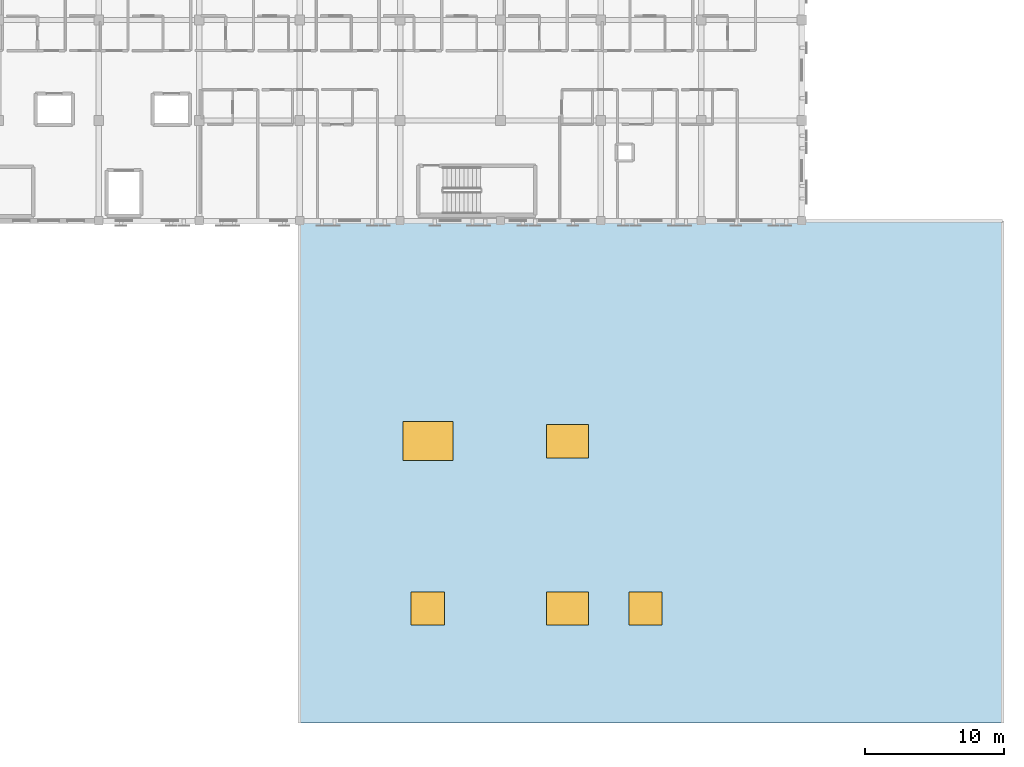
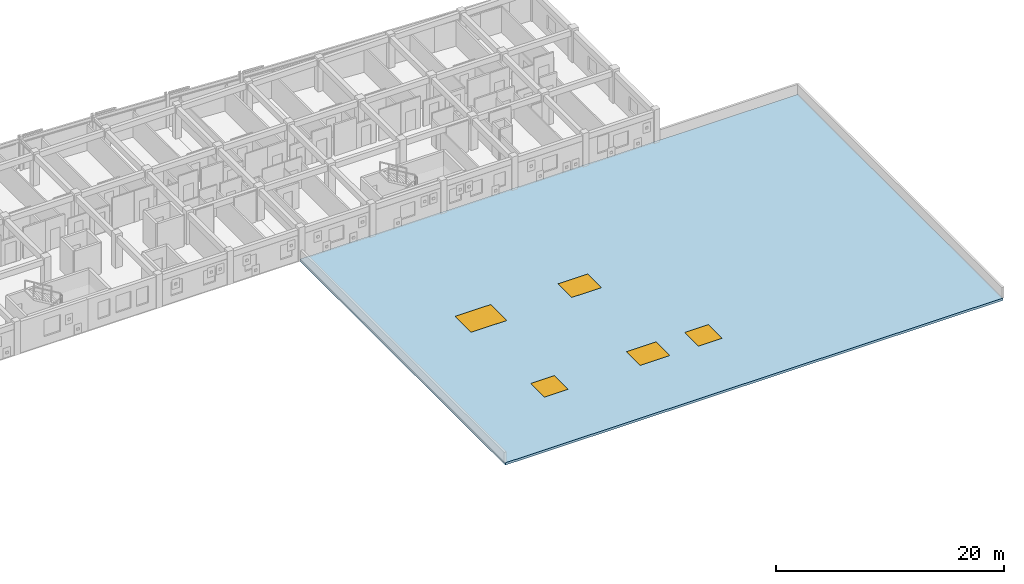
# One storey, part 34 of 50: 5 windows, 1 slab, 5 openings.
"""IFC4 building model written with IfcOpenShell, lengths in metres."""

from ifc_helpers import new_model, si_unit, direction, frame, origin, origin_2d, place, context, subcontext, project, spatial, polyline, rectangle, outline, extrude, material, layer, layer_set, type_object, element, fill, save


model = new_model("IFC4")

# Units and contexts
model_context = context("Model", 3, precision=1e-05, world=origin(), true_north=direction((0.0, 1.0)))
body_context = subcontext(model_context, "Body", "Model", "MODEL_VIEW")
ifc_project = project(units=[si_unit("LENGTHUNIT", "METRE"), si_unit("AREAUNIT", "SQUARE_METRE"), si_unit("VOLUMEUNIT", "CUBIC_METRE"), si_unit("PLANEANGLEUNIT", "RADIAN"), si_unit("MASSUNIT", "GRAM", prefix="KILO")], contexts=[model_context])

# Site, building, storey
site_placement = place(None, origin())
site = spatial("IfcSite", under=ifc_project, at=site_placement, CompositionType="ELEMENT")
building_placement = place(site_placement, origin())
building = spatial("IfcBuilding", under=site, at=building_placement, Name="Carrowvane Square Congress Hotel", CompositionType="ELEMENT")
storey_placement = place(building_placement, frame((0.0, 0.0, 22.800048828125)))
storey = spatial("IfcBuildingStorey", under=building, at=storey_placement, Name="L05", CompositionType="ELEMENT", Elevation=22.800048828125)

# Slab, openings, windows
ifc_material_1 = material(Name="Concrete C35/45", Category="concrete")
ifc_layer = layer(ifc_material_1, 0.25)
ifc_layer_set = layer_set([ifc_layer], Name="Concrete C35/45")
slab_type = type_object("IfcSlabType", Name="SLB-ROOF-250", PredefinedType="ROOF", material=ifc_layer_set)
slab_placement = place(storey_placement, frame((0.0, 0.0, -0.25)))
slab = element("IfcSlab", 1, at=slab_placement, inside=storey, type_object=slab_type, Name="Meeting and Sky Bar flat roof slab", PredefinedType="ROOF", context=body_context, shape_type="SweptSolid", body=[
    extrude(outline(polyline([(126.800048828125, 55.800048828125), (177.199951171875, 55.800048828125), (177.199951171875, 91.800048828125), (126.800048828125, 91.800048828125), (126.800048828125, 55.800048828125)])), origin(), (0.0, 0.0, 1.0), 0.25),
])
opening_1_placement = place(slab_placement, frame((136.0, 64.0, 0.0)))
opening_1 = element("IfcOpeningElement", 2, at=opening_1_placement, cuts=slab, Name="Opening SK-01", PredefinedType="OPENING", context=body_context, shape_type="SweptSolid", body=[
    extrude(rectangle(XDim=2.39990234375, YDim=2.39990234375, at=origin_2d()), origin(), (0.0, 0.0, 1.0), 0.25),
])
opening_2_placement = place(slab_placement, frame((146.0, 64.0, 0.0)))
opening_2 = element("IfcOpeningElement", 3, at=opening_2_placement, cuts=slab, Name="Opening SK-02", PredefinedType="OPENING", context=body_context, shape_type="SweptSolid", body=[
    extrude(rectangle(XDim=3.0, YDim=2.39990234375, at=origin_2d()), origin(), (0.0, 0.0, 1.0), 0.25),
])
opening_3_placement = place(slab_placement, frame((151.60009765625, 64.0, 0.0)))
opening_3 = element("IfcOpeningElement", 4, at=opening_3_placement, cuts=slab, Name="Opening SK-01", PredefinedType="OPENING", context=body_context, shape_type="SweptSolid", body=[
    extrude(rectangle(XDim=2.39990234375, YDim=2.39990234375, at=origin_2d()), origin(), (0.0, 0.0, 1.0), 0.25),
])
opening_4_placement = place(slab_placement, frame((136.0, 76.0, 0.0)))
opening_4 = element("IfcOpeningElement", 5, at=opening_4_placement, cuts=slab, Name="Opening SK-03", PredefinedType="OPENING", context=body_context, shape_type="SweptSolid", body=[
    extrude(rectangle(XDim=3.60009765625, YDim=2.800048828125, at=origin_2d()), origin(), (0.0, 0.0, 1.0), 0.25),
])
opening_5_placement = place(slab_placement, frame((146.0, 76.0, 0.0)))
opening_5 = element("IfcOpeningElement", 6, at=opening_5_placement, cuts=slab, Name="Opening SK-02", PredefinedType="OPENING", context=body_context, shape_type="SweptSolid", body=[
    extrude(rectangle(XDim=3.0, YDim=2.39990234375, at=origin_2d()), origin(), (0.0, 0.0, 1.0), 0.25),
])
ifc_material_2 = material(Name="Double-glazed low-E glass", Category="glass")
window_type_1 = type_object("IfcWindowType", Name="SKY-01", PartitioningType="SINGLE_PANEL", PredefinedType="SKYLIGHT", material=ifc_material_2)
window_1_placement = place(opening_1_placement, frame((0.0, 0.0, 0.199951171875)))
window_1 = element("IfcWindow", 7, at=window_1_placement, inside=storey, type_object=window_type_1, Name="L05 roof skylight 1", OverallHeight=2.39990234375, OverallWidth=2.39990234375, PartitioningType="SINGLE_PANEL", PredefinedType="SKYLIGHT", context=body_context, shape_type="SweptSolid", body=[
    extrude(rectangle(XDim=2.39990234375, YDim=2.39990234375, at=origin_2d()), origin(), (0.0, 0.0, 1.0), 0.050048828125),
])
fill(opening_1, window_1)
window_2_placement = place(opening_3_placement, frame((0.0, 0.0, 0.199951171875)))
window_2 = element("IfcWindow", 8, at=window_2_placement, inside=storey, type_object=window_type_1, Name="L05 roof skylight 3", OverallHeight=2.39990234375, OverallWidth=2.39990234375, PartitioningType="SINGLE_PANEL", PredefinedType="SKYLIGHT", context=body_context, shape_type="SweptSolid", body=[
    extrude(rectangle(XDim=2.39990234375, YDim=2.39990234375, at=origin_2d()), origin(), (0.0, 0.0, 1.0), 0.050048828125),
])
fill(opening_3, window_2)
ifc_material_3 = material(Name="Double-glazed low-E glass", Category="glass")
window_type_2 = type_object("IfcWindowType", Name="SKY-02", PartitioningType="SINGLE_PANEL", PredefinedType="SKYLIGHT", material=ifc_material_3)
window_3_placement = place(opening_2_placement, frame((0.0, 0.0, 0.199951171875)))
window_3 = element("IfcWindow", 9, at=window_3_placement, inside=storey, type_object=window_type_2, Name="L05 roof skylight 2", OverallHeight=2.39990234375, OverallWidth=3.0, PartitioningType="SINGLE_PANEL", PredefinedType="SKYLIGHT", context=body_context, shape_type="SweptSolid", body=[
    extrude(rectangle(XDim=3.0, YDim=2.39990234375, at=origin_2d()), origin(), (0.0, 0.0, 1.0), 0.050048828125),
])
fill(opening_2, window_3)
window_4_placement = place(opening_5_placement, frame((0.0, 0.0, 0.199951171875)))
window_4 = element("IfcWindow", 10, at=window_4_placement, inside=storey, type_object=window_type_2, Name="L05 roof skylight 5", OverallHeight=2.39990234375, OverallWidth=3.0, PartitioningType="SINGLE_PANEL", PredefinedType="SKYLIGHT", context=body_context, shape_type="SweptSolid", body=[
    extrude(rectangle(XDim=3.0, YDim=2.39990234375, at=origin_2d()), origin(), (0.0, 0.0, 1.0), 0.050048828125),
])
fill(opening_5, window_4)
ifc_material_4 = material(Name="Double-glazed low-E glass", Category="glass")
window_type_3 = type_object("IfcWindowType", Name="SKY-03", PartitioningType="SINGLE_PANEL", PredefinedType="SKYLIGHT", material=ifc_material_4)
window_5_placement = place(opening_4_placement, frame((0.0, 0.0, 0.199951171875)))
window_5 = element("IfcWindow", 11, at=window_5_placement, inside=storey, type_object=window_type_3, Name="L05 roof skylight 4", OverallHeight=2.800048828125, OverallWidth=3.60009765625, PartitioningType="SINGLE_PANEL", PredefinedType="SKYLIGHT", context=body_context, shape_type="SweptSolid", body=[
    extrude(rectangle(XDim=3.60009765625, YDim=2.800048828125, at=origin_2d()), origin(), (0.0, 0.0, 1.0), 0.050048828125),
])
fill(opening_4, window_5)

save(model, "model.ifc")
